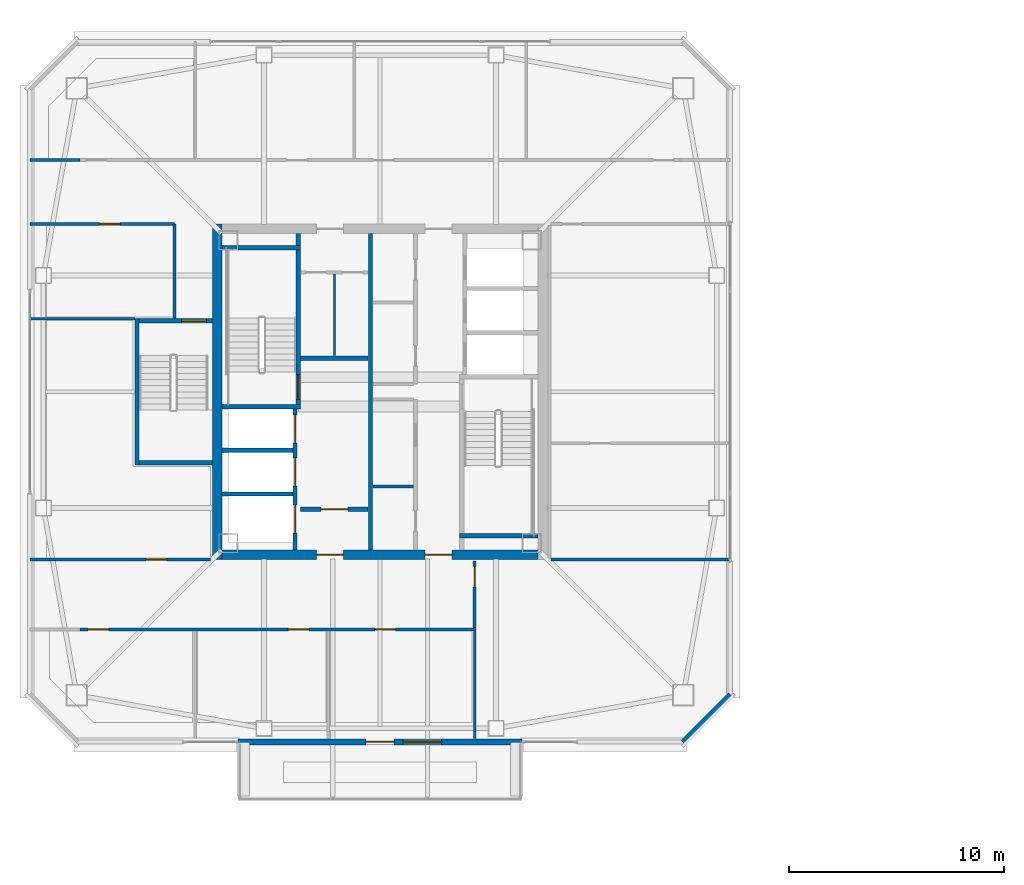
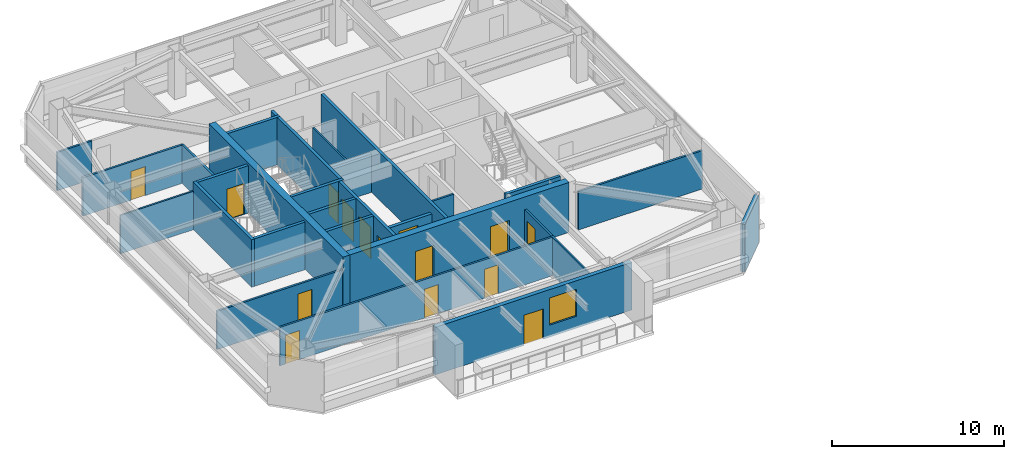
# One storey, part 29 of 39: 28 walls, 15 doors, 1 window, 16 openings.
"""IFC4 building model written with IfcOpenShell, lengths in metres."""

from ifc_helpers import new_model, si_unit, direction, frame, frame_2d, origin, place, context, subcontext, project, spatial, rectangle, extrude, material, layer, layer_set, type_object, element, fill, save


model = new_model("IFC4")

# Units and contexts
model_context = context("Model", 3, precision=1e-05, world=origin(), true_north=direction((0.0, 1.0)))
body_context = subcontext(model_context, "Body", "Model", "MODEL_VIEW")
ifc_project = project(units=[si_unit("LENGTHUNIT", "METRE"), si_unit("AREAUNIT", "SQUARE_METRE"), si_unit("VOLUMEUNIT", "CUBIC_METRE"), si_unit("PLANEANGLEUNIT", "RADIAN"), si_unit("MASSUNIT", "GRAM", prefix="KILO")], contexts=[model_context])

# Site, building, storey
site_placement = place(None, origin())
site = spatial("IfcSite", under=ifc_project, at=site_placement, CompositionType="ELEMENT")
building_placement = place(site_placement, origin())
building = spatial("IfcBuilding", under=site, at=building_placement, Name="Tashvorn Skyway Center", CompositionType="ELEMENT")
storey_placement = place(building_placement, frame((0.0, 0.0, 225.5)))
storey = spatial("IfcBuildingStorey", under=building, at=storey_placement, Name="L61", CompositionType="ELEMENT", Elevation=225.5)

# Wall
ifc_material_1 = material(Name="Concrete C50/60", Category="concrete")
ifc_layer_1 = layer(ifc_material_1, 0.449951171875)
ifc_layer_set_1 = layer_set([ifc_layer_1], Name="Concrete C50/60")
wall_type_1 = type_object("IfcWallType", Name="WALL-CORE-450", PredefinedType="SHEAR", material=ifc_layer_set_1)
wall_1_placement = place(storey_placement, frame((34.425048828125, 24.199951171875, 0.0), z_axis=(0.0, 0.0, 1.0), x_axis=(0.0, 1.0, 0.0)))
element("IfcWall", 1, at=wall_1_placement, inside=storey, type_object=wall_type_1, Name="Tower 1 L61 West Core Shear Wall", PredefinedType="SHEAR", context=body_context, shape_type="SweptSolid", body=[
    extrude(rectangle(XDim=15.60009765625, YDim=0.449951171875, at=frame_2d((7.800048828125, 0.0))), origin(), (0.0, 0.0, 1.0), 3.550048828125),
])

# Wall, openings, doors
wall_2_placement = place(storey_placement, frame((49.35009765625, 24.425048828125, 0.0), z_axis=(0.0, 0.0, 1.0), x_axis=(-1.0, 0.0, 0.0)))
wall_2 = element("IfcWall", 2, at=wall_2_placement, inside=storey, type_object=wall_type_1, Name="Tower 1 L61 South Core Shear Wall", PredefinedType="SHEAR", context=body_context, shape_type="SweptSolid", body=[
    extrude(rectangle(XDim=14.7001953125, YDim=0.449951171875, at=frame_2d((7.35009765625, 0.0))), origin(), (0.0, 0.0, 1.0), 3.550048828125),
])
opening_1_placement = place(wall_2_placement, frame((9.050048828125, 0.0, 0.0)))
opening_1 = element("IfcOpeningElement", 3, at=opening_1_placement, cuts=wall_2, Name="Opening D-FFL-1250", PredefinedType="OPENING", context=body_context, shape_type="SweptSolid", body=[
    extrude(rectangle(XDim=1.25, YDim=2.25, at=frame_2d((0.625, 1.125))), frame((0.0, 0.23486328125, 0.0), z_axis=(0.0, -1.0, 0.0), x_axis=(1.0, 0.0, 0.0)), (0.0, 0.0, 1.0), 0.469970703125),
])
opening_2_placement = place(wall_2_placement, frame((4.0, 0.0, 0.0)))
opening_2 = element("IfcOpeningElement", 4, at=opening_2_placement, cuts=wall_2, Name="Opening D-FFL-1250", PredefinedType="OPENING", context=body_context, shape_type="SweptSolid", body=[
    extrude(rectangle(XDim=1.25, YDim=2.25, at=frame_2d((0.625, 1.125))), frame((0.0, 0.23486328125, 0.0), z_axis=(0.0, -1.0, 0.0), x_axis=(1.0, 0.0, 0.0)), (0.0, 0.0, 1.0), 0.469970703125),
])
ifc_material_2 = material(Name="Hollow galvanized steel fire door assembly", Category="steel")
door_type_1 = type_object("IfcDoorType", Name="DOOR-FFL-1250", OperationType="NOTDEFINED", PredefinedType="DOOR", material=ifc_material_2)
door_1_placement = place(opening_1_placement, origin())
door_1 = element("IfcDoor", 5, at=door_1_placement, inside=storey, type_object=door_type_1, Name="Tower 1 L61 Core South Firefighting Exit Door", OperationType="SINGLE_SWING_LEFT", OverallHeight=2.25, OverallWidth=1.25, PredefinedType="DOOR", context=body_context, shape_type="SweptSolid", body=[
    extrude(rectangle(XDim=1.25, YDim=2.25, at=frame_2d((0.625, 1.125))), frame((0.0, 0.02490234375, 0.0), z_axis=(0.0, -1.0, 0.0), x_axis=(1.0, 0.0, 0.0)), (0.0, 0.0, 1.0), 0.050048828125),
])
fill(opening_1, door_1)
door_2_placement = place(opening_2_placement, origin())
door_2 = element("IfcDoor", 6, at=door_2_placement, inside=storey, type_object=door_type_1, Name="Tower 1 L61 Core South Lift Lobby Door", OperationType="SINGLE_SWING_RIGHT", OverallHeight=2.25, OverallWidth=1.25, PredefinedType="DOOR", context=body_context, shape_type="SweptSolid", body=[
    extrude(rectangle(XDim=1.25, YDim=2.25, at=frame_2d((0.625, 1.125))), frame((0.0, 0.02490234375, 0.0), z_axis=(0.0, -1.0, 0.0), x_axis=(1.0, 0.0, 0.0)), (0.0, 0.0, 1.0), 0.050048828125),
])
fill(opening_2, door_2)

# Wall, openings, door, window
ifc_material_3 = material(Name="Precast concrete C40/50", Category="concrete")
ifc_layer_2 = layer(ifc_material_3, 0.280029296875)
ifc_layer_set_2 = layer_set([ifc_layer_2], Name="Precast concrete C40/50")
wall_type_2 = type_object("IfcWallType", Name="WALL-EXT-280", PredefinedType="SOLIDWALL", material=ifc_layer_set_2)
wall_3_placement = place(storey_placement, frame((48.60009765625, 15.719970703125, 0.0), z_axis=(0.0, 0.0, 1.0), x_axis=(-1.0, 0.0, 0.0)))
wall_3 = element("IfcWall", 7, at=wall_3_placement, inside=storey, type_object=wall_type_2, Name="Tower 1 L61 South Sky Garden Loggia Wall", PredefinedType="SOLIDWALL", context=body_context, shape_type="SweptSolid", body=[
    extrude(rectangle(XDim=13.2001953125, YDim=0.280029296875, at=frame_2d((6.60009765625, 0.0))), origin(), (0.0, 0.0, 1.0), 3.3701171875),
])
opening_3_placement = place(wall_3_placement, frame((5.949951171875, 0.0, 0.0)))
opening_3 = element("IfcOpeningElement", 8, at=opening_3_placement, cuts=wall_3, Name="Opening D-TER-1300", PredefinedType="OPENING", context=body_context, shape_type="SweptSolid", body=[
    extrude(rectangle(XDim=1.300048828125, YDim=2.14990234375, at=frame_2d((0.64990234375, 1.074951171875))), frame((0.0, 0.14990234375, 0.0), z_axis=(0.0, -1.0, 0.0), x_axis=(1.0, 0.0, 0.0)), (0.0, 0.0, 1.0), 0.300048828125),
])
opening_4_placement = place(wall_3_placement, frame((3.73193359375, 0.0, 0.85009765625)))
opening_4 = element("IfcOpeningElement", 9, at=opening_4_placement, cuts=wall_3, Name="Opening WIN-1800", PredefinedType="OPENING", context=body_context, shape_type="SweptSolid", body=[
    extrude(rectangle(XDim=1.800048828125, YDim=1.919921875, at=frame_2d((0.89990234375, 0.9599609375))), frame((0.0, 0.14990234375, 0.0), z_axis=(0.0, -1.0, 0.0), x_axis=(1.0, 0.0, 0.0)), (0.0, 0.0, 1.0), 0.300048828125),
])
ifc_material_4 = material(Name="Thermally broken bronze-anodized aluminium 6063-T6", Category="aluminium")
door_type_2 = type_object("IfcDoorType", Name="DOOR-TERR-1300", OperationType="NOTDEFINED", PredefinedType="DOOR", material=ifc_material_4)
door_3_placement = place(opening_3_placement, origin())
door_3 = element("IfcDoor", 10, at=door_3_placement, inside=storey, type_object=door_type_2, Name="Tower 1 L61 Sky Garden Access Door", OperationType="SINGLE_SWING_LEFT", OverallHeight=2.14990234375, OverallWidth=1.300048828125, PredefinedType="DOOR", context=body_context, shape_type="SweptSolid", body=[
    extrude(rectangle(XDim=1.300048828125, YDim=2.14990234375, at=frame_2d((0.64990234375, 1.074951171875))), frame((0.0, 0.02490234375, 0.0), z_axis=(0.0, -1.0, 0.0), x_axis=(1.0, 0.0, 0.0)), (0.0, 0.0, 1.0), 0.050048828125),
])
fill(opening_3, door_3)
ifc_material_5 = material(Name="Low-E solar-control double insulating safety glass", Category="glass")
window_type = type_object("IfcWindowType", Name="WIN-TERR-1800", PartitioningType="SINGLE_PANEL", PredefinedType="WINDOW", material=ifc_material_5)
window_placement = place(opening_4_placement, origin())
window = element("IfcWindow", 11, at=window_placement, inside=storey, type_object=window_type, Name="Tower 1 L61 Sky Garden Window", OverallHeight=1.919921875, OverallWidth=1.800048828125, PartitioningType="SINGLE_PANEL", PredefinedType="WINDOW", context=body_context, shape_type="SweptSolid", body=[
    extrude(rectangle(XDim=1.800048828125, YDim=1.919921875, at=frame_2d((0.89990234375, 0.9599609375))), frame((0.0, 0.030029296875, 0.0), z_axis=(0.0, -1.0, 0.0), x_axis=(1.0, 0.0, 0.0)), (0.0, 0.0, 1.0), 0.06005859375),
])
fill(opening_4, window)

# Walls
wall_4_placement = place(storey_placement, frame((58.300048828125, 17.89990234375, 0.0), z_axis=(0.0, 0.0, 1.0), x_axis=(-0.707106781187, -0.707106781187, 0.0)))
element("IfcWall", 12, at=wall_4_placement, inside=storey, type_object=wall_type_2, Name="Tower 1 L61 SE Precast Chamfer Wall", PredefinedType="SOLIDWALL", context=body_context, shape_type="SweptSolid", body=[
    extrude(rectangle(XDim=3.111083984375, YDim=0.280029296875, at=frame_2d((1.5556640625, 0.0))), origin(), (0.0, 0.0, 1.0), 3.3701171875),
])
ifc_material_6 = material(Name="Concrete C40/50", Category="concrete")
ifc_layer_3 = layer(ifc_material_6, 0.219970703125)
ifc_layer_set_3 = layer_set([ifc_layer_3], Name="Concrete C40/50")
wall_type_3 = type_object("IfcWallType", Name="WALL-FFL-220", PredefinedType="SOLIDWALL", material=ifc_layer_set_3)
wall_5_placement = place(storey_placement, frame((38.300048828125, 33.56005859375, 0.0), z_axis=(0.0, 0.0, 1.0), x_axis=(1.0, 0.0, 0.0)))
element("IfcWall", 13, at=wall_5_placement, inside=storey, type_object=wall_type_3, Name="Tower 1 L61 Firefighting Lobby North Wall", PredefinedType="SOLIDWALL", context=body_context, shape_type="SweptSolid", body=[
    extrude(rectangle(XDim=3.14990234375, YDim=0.219970703125, at=frame_2d((1.574951171875, 0.0))), origin(), (0.0, 0.0, 1.0), 2.722900390625),
])

# Wall, opening, door
wall_6_placement = place(storey_placement, frame((38.300048828125, 26.5400390625, 0.0), z_axis=(0.0, 0.0, 1.0), x_axis=(1.0, 0.0, 0.0)))
wall_6 = element("IfcWall", 14, at=wall_6_placement, inside=storey, type_object=wall_type_3, Name="Tower 1 L61 Firefighting Lobby South Wall", PredefinedType="SOLIDWALL", context=body_context, shape_type="SweptSolid", body=[
    extrude(rectangle(XDim=3.14990234375, YDim=0.219970703125, at=frame_2d((1.574951171875, 0.0))), origin(), (0.0, 0.0, 1.0), 2.722900390625),
])
opening_5_placement = place(wall_6_placement, frame((0.949951171875, 0.0, 0.0)))
opening_5 = element("IfcOpeningElement", 15, at=opening_5_placement, cuts=wall_6, Name="Opening D-FFL-1250", PredefinedType="OPENING", context=body_context, shape_type="SweptSolid", body=[
    extrude(rectangle(XDim=1.25, YDim=2.25, at=frame_2d((0.625, 1.125))), frame((0.0, 0.119873046875, 0.0), z_axis=(0.0, -1.0, 0.0), x_axis=(1.0, 0.0, 0.0)), (0.0, 0.0, 1.0), 0.239990234375),
])
door_4_placement = place(opening_5_placement, origin())
door_4 = element("IfcDoor", 16, at=door_4_placement, inside=storey, type_object=door_type_1, Name="Tower 1 L61 Firefighting Lobby Egress Door", OperationType="SINGLE_SWING_LEFT", OverallHeight=2.25, OverallWidth=1.25, PredefinedType="DOOR", context=body_context, shape_type="SweptSolid", body=[
    extrude(rectangle(XDim=1.25, YDim=2.25, at=frame_2d((0.625, 1.125))), frame((0.0, 0.02490234375, 0.0), z_axis=(0.0, -1.0, 0.0), x_axis=(1.0, 0.0, 0.0)), (0.0, 0.0, 1.0), 0.050048828125),
])
fill(opening_5, door_4)

# Walls
ifc_material_7 = material(Name="Gypsum board on cold-formed steel stud framing", Category="steel")
ifc_layer_4 = layer(ifc_material_7, 0.110107421875)
ifc_layer_set_4 = layer_set([ifc_layer_4], Name="Gypsum board on cold-formed steel stud framing")
wall_type_4 = type_object("IfcWallType", Name="WALL-PART-110", PredefinedType="PARTITIONING", material=ifc_layer_set_4)
wall_7_placement = place(storey_placement, frame((46.39990234375, 15.8701171875, 0.0), z_axis=(0.0, 0.0, 1.0), x_axis=(0.0, 1.0, 0.0)))
element("IfcWall", 17, at=wall_7_placement, inside=storey, type_object=wall_type_4, Name="Tower 1 L61 South-East Suite Wall", PredefinedType="PARTITIONING", context=body_context, shape_type="SweptSolid", body=[
    extrude(rectangle(XDim=5.159912109375, YDim=0.110107421875, at=frame_2d((2.580078125, 0.0))), origin(), (0.0, 0.0, 1.0), 2.722900390625),
])
wall_8_placement = place(storey_placement, frame((30.60009765625, 35.39990234375, 0.0), z_axis=(0.0, 0.0, 1.0), x_axis=(-1.0, 0.0, 0.0)))
element("IfcWall", 18, at=wall_8_placement, inside=storey, type_object=wall_type_4, Name="Tower 1 L61 West Suite Partition 1", PredefinedType="PARTITIONING", context=body_context, shape_type="SweptSolid", body=[
    extrude(rectangle(XDim=4.880126953125, YDim=0.110107421875, at=frame_2d((2.43994140625, 0.0))), origin(), (0.0, 0.0, 1.0), 2.722900390625),
])
ifc_layer_5 = layer(ifc_material_7, 0.135009765625)
ifc_layer_set_5 = layer_set([ifc_layer_5], Name="Gypsum board on cold-formed steel stud framing")
wall_type_5 = type_object("IfcWallType", Name="WALL-PART-135", PredefinedType="PARTITIONING", material=ifc_layer_set_5)
wall_9_placement = place(storey_placement, frame((32.449951171875, 35.39990234375, 0.0), z_axis=(0.0, 0.0, 1.0), x_axis=(0.0, 1.0, 0.0)))
element("IfcWall", 19, at=wall_9_placement, inside=storey, type_object=wall_type_5, Name="Tower 1 L61 Stair 3 Access Corridor Wall", PredefinedType="PARTITIONING", context=body_context, shape_type="SweptSolid", body=[
    extrude(rectangle(XDim=4.400146484375, YDim=0.135009765625, at=frame_2d((2.2001953125, 0.0))), origin(), (0.0, 0.0, 1.0), 2.722900390625),
])
wall_10_placement = place(storey_placement, frame((25.719970703125, 42.77001953125, 0.0), z_axis=(0.0, 0.0, 1.0), x_axis=(1.0, 0.0, 0.0)))
element("IfcWall", 20, at=wall_10_placement, inside=storey, type_object=wall_type_5, Name="Tower 1 L61 North-West Suite South Wall", PredefinedType="PARTITIONING", context=body_context, shape_type="SweptSolid", body=[
    extrude(rectangle(XDim=2.330078125, YDim=0.135009765625, at=frame_2d((1.1650390625, 0.0))), origin(), (0.0, 0.0, 1.0), 2.722900390625),
])

# Wall, openings, doors
wall_11_placement = place(storey_placement, frame((46.39990234375, 20.949951171875, 0.0), z_axis=(0.0, 0.0, 1.0), x_axis=(-1.0, 0.0, 0.0)))
wall_11 = element("IfcWall", 21, at=wall_11_placement, inside=storey, type_object=wall_type_5, Name="Tower 1 L61 South Suite Wall", PredefinedType="PARTITIONING", context=body_context, shape_type="SweptSolid", body=[
    extrude(rectangle(XDim=18.349853515625, YDim=0.135009765625, at=frame_2d((9.1748046875, 0.0))), origin(), (0.0, 0.0, 1.0), 2.722900390625),
])
opening_6_placement = place(wall_11_placement, frame((17.02001953125, 0.0, 0.0)))
opening_6 = element("IfcOpeningElement", 22, at=opening_6_placement, cuts=wall_11, Name="Opening D-INT-950", PredefinedType="OPENING", context=body_context, shape_type="SweptSolid", body=[
    extrude(rectangle(XDim=0.949951171875, YDim=2.050048828125, at=frame_2d((0.47509765625, 1.02490234375))), frame((0.0, 0.077392578125, 0.0), z_axis=(0.0, -1.0, 0.0), x_axis=(1.0, 0.0, 0.0)), (0.0, 0.0, 1.0), 0.155029296875),
])
opening_7_placement = place(wall_11_placement, frame((7.708251953125, 0.0, 0.0)))
opening_7 = element("IfcOpeningElement", 23, at=opening_7_placement, cuts=wall_11, Name="Opening D-INT-950", PredefinedType="OPENING", context=body_context, shape_type="SweptSolid", body=[
    extrude(rectangle(XDim=0.949951171875, YDim=2.050048828125, at=frame_2d((0.47509765625, 1.02490234375))), frame((0.0, 0.077392578125, 0.0), z_axis=(0.0, -1.0, 0.0), x_axis=(1.0, 0.0, 0.0)), (0.0, 0.0, 1.0), 0.155029296875),
])
opening_8_placement = place(wall_11_placement, frame((3.6884765625, 0.0, 0.0)))
opening_8 = element("IfcOpeningElement", 24, at=opening_8_placement, cuts=wall_11, Name="Opening D-INT-950", PredefinedType="OPENING", context=body_context, shape_type="SweptSolid", body=[
    extrude(rectangle(XDim=0.949951171875, YDim=2.050048828125, at=frame_2d((0.47509765625, 1.02490234375))), frame((0.0, 0.077392578125, 0.0), z_axis=(0.0, -1.0, 0.0), x_axis=(1.0, 0.0, 0.0)), (0.0, 0.0, 1.0), 0.155029296875),
])
ifc_material_8 = material(Name="Solid-core architectural oak veneer door")
door_type_3 = type_object("IfcDoorType", Name="DOOR-INT-950", OperationType="NOTDEFINED", PredefinedType="DOOR", material=ifc_material_8)
door_5_placement = place(opening_6_placement, origin())
door_5 = element("IfcDoor", 25, at=door_5_placement, inside=storey, type_object=door_type_3, Name="Tower 1 L61 Conference Room Door", OperationType="SINGLE_SWING_RIGHT", OverallHeight=2.050048828125, OverallWidth=0.949951171875, PredefinedType="DOOR", context=body_context, shape_type="SweptSolid", body=[
    extrude(rectangle(XDim=0.949951171875, YDim=2.050048828125, at=frame_2d((0.47509765625, 1.02490234375))), frame((0.0, 0.02490234375, 0.0), z_axis=(0.0, -1.0, 0.0), x_axis=(1.0, 0.0, 0.0)), (0.0, 0.0, 1.0), 0.050048828125),
])
fill(opening_6, door_5)
door_6_placement = place(opening_7_placement, origin())
door_6 = element("IfcDoor", 26, at=door_6_placement, inside=storey, type_object=door_type_3, Name="Tower 1 L61 Staff Fitness Club Door", OperationType="SINGLE_SWING_LEFT", OverallHeight=2.050048828125, OverallWidth=0.949951171875, PredefinedType="DOOR", context=body_context, shape_type="SweptSolid", body=[
    extrude(rectangle(XDim=0.949951171875, YDim=2.050048828125, at=frame_2d((0.47509765625, 1.02490234375))), frame((0.0, 0.02490234375, 0.0), z_axis=(0.0, -1.0, 0.0), x_axis=(1.0, 0.0, 0.0)), (0.0, 0.0, 1.0), 0.050048828125),
])
fill(opening_7, door_6)
door_7_placement = place(opening_8_placement, origin())
door_7 = element("IfcDoor", 27, at=door_7_placement, inside=storey, type_object=door_type_3, Name="Tower 1 L61 Staff Fitness Club Door", OperationType="SINGLE_SWING_RIGHT", OverallHeight=2.050048828125, OverallWidth=0.949951171875, PredefinedType="DOOR", context=body_context, shape_type="SweptSolid", body=[
    extrude(rectangle(XDim=0.949951171875, YDim=2.050048828125, at=frame_2d((0.47509765625, 1.02490234375))), frame((0.0, 0.02490234375, 0.0), z_axis=(0.0, -1.0, 0.0), x_axis=(1.0, 0.0, 0.0)), (0.0, 0.0, 1.0), 0.050048828125),
])
fill(opening_8, door_7)

# Wall, opening, door
wall_12_placement = place(storey_placement, frame((46.39990234375, 24.1201171875, 0.0), z_axis=(0.0, 0.0, 1.0), x_axis=(0.0, -1.0, 0.0)))
wall_12 = element("IfcWall", 28, at=wall_12_placement, inside=storey, type_object=wall_type_5, Name="Tower 1 L61 South Gallery End Wall", PredefinedType="PARTITIONING", context=body_context, shape_type="SweptSolid", body=[
    extrude(rectangle(XDim=3.090087890625, YDim=0.135009765625, at=frame_2d((1.544921875, 0.0))), origin(), (0.0, 0.0, 1.0), 2.722900390625),
])
opening_9_placement = place(wall_12_placement, frame((0.25, 0.0, 0.0)))
opening_9 = element("IfcOpeningElement", 29, at=opening_9_placement, cuts=wall_12, Name="Opening D-INT-950", PredefinedType="OPENING", context=body_context, shape_type="SweptSolid", body=[
    extrude(rectangle(XDim=0.949951171875, YDim=2.050048828125, at=frame_2d((0.47509765625, 1.02490234375))), frame((0.0, 0.077392578125, 0.0), z_axis=(0.0, -1.0, 0.0), x_axis=(1.0, 0.0, 0.0)), (0.0, 0.0, 1.0), 0.155029296875),
])
door_8_placement = place(opening_9_placement, origin())
door_8 = element("IfcDoor", 30, at=door_8_placement, inside=storey, type_object=door_type_3, Name="Tower 1 L61 Gallery Showroom Door", OperationType="SINGLE_SWING_LEFT", OverallHeight=2.050048828125, OverallWidth=0.949951171875, PredefinedType="DOOR", context=body_context, shape_type="SweptSolid", body=[
    extrude(rectangle(XDim=0.949951171875, YDim=2.050048828125, at=frame_2d((0.47509765625, 1.02490234375))), frame((0.0, 0.02490234375, 0.0), z_axis=(0.0, -1.0, 0.0), x_axis=(1.0, 0.0, 0.0)), (0.0, 0.0, 1.0), 0.050048828125),
])
fill(opening_9, door_8)

# Wall
wall_13_placement = place(storey_placement, frame((49.9599609375, 24.199951171875, 0.0), z_axis=(0.0, 0.0, 1.0), x_axis=(1.0, 0.0, 0.0)))
element("IfcWall", 31, at=wall_13_placement, inside=storey, type_object=wall_type_5, Name="Tower 1 L61 East Suite South Wall", PredefinedType="PARTITIONING", context=body_context, shape_type="SweptSolid", body=[
    extrude(rectangle(XDim=8.320068359375, YDim=0.135009765625, at=frame_2d((4.16015625, 0.0))), origin(), (0.0, 0.0, 1.0), 2.722900390625),
])

# Wall, opening, door
wall_14_placement = place(storey_placement, frame((32.449951171875, 39.800048828125, 0.0), z_axis=(0.0, 0.0, 1.0), x_axis=(-1.0, 0.0, 0.0)))
wall_14 = element("IfcWall", 32, at=wall_14_placement, inside=storey, type_object=wall_type_5, Name="Tower 1 L61 West Suite North Wall", PredefinedType="PARTITIONING", context=body_context, shape_type="SweptSolid", body=[
    extrude(rectangle(XDim=6.72998046875, YDim=0.135009765625, at=frame_2d((3.364990234375, 0.0))), origin(), (0.0, 0.0, 1.0), 2.722900390625),
])
opening_10_placement = place(wall_14_placement, frame((2.5400390625, 0.0, 0.0)))
opening_10 = element("IfcOpeningElement", 33, at=opening_10_placement, cuts=wall_14, Name="Opening D-INT-950", PredefinedType="OPENING", context=body_context, shape_type="SweptSolid", body=[
    extrude(rectangle(XDim=0.949951171875, YDim=2.050048828125, at=frame_2d((0.47509765625, 1.02490234375))), frame((0.0, 0.077392578125, 0.0), z_axis=(0.0, -1.0, 0.0), x_axis=(1.0, 0.0, 0.0)), (0.0, 0.0, 1.0), 0.155029296875),
])
door_9_placement = place(opening_10_placement, origin())
door_9 = element("IfcDoor", 34, at=door_9_placement, inside=storey, type_object=door_type_3, Name="Tower 1 L61 Catering Pantry Door", OperationType="SINGLE_SWING_RIGHT", OverallHeight=2.050048828125, OverallWidth=0.949951171875, PredefinedType="DOOR", context=body_context, shape_type="SweptSolid", body=[
    extrude(rectangle(XDim=0.949951171875, YDim=2.050048828125, at=frame_2d((0.47509765625, 1.02490234375))), frame((0.0, 0.02490234375, 0.0), z_axis=(0.0, -1.0, 0.0), x_axis=(1.0, 0.0, 0.0)), (0.0, 0.0, 1.0), 0.050048828125),
])
fill(opening_10, door_9)

wall_15_placement = place(storey_placement, frame((25.719970703125, 24.199951171875, 0.0), z_axis=(0.0, 0.0, 1.0), x_axis=(1.0, 0.0, 0.0)))
wall_15 = element("IfcWall", 35, at=wall_15_placement, inside=storey, type_object=wall_type_5, Name="Tower 1 L61 West Suite South Wall", PredefinedType="PARTITIONING", context=body_context, shape_type="SweptSolid", body=[
    extrude(rectangle(XDim=8.400146484375, YDim=0.135009765625, at=frame_2d((4.2001953125, 0.0))), origin(), (0.0, 0.0, 1.0), 2.722900390625),
])
opening_11_placement = place(wall_15_placement, frame((5.405029296875, 0.0, 0.0)))
opening_11 = element("IfcOpeningElement", 36, at=opening_11_placement, cuts=wall_15, Name="Opening D-INT-950", PredefinedType="OPENING", context=body_context, shape_type="SweptSolid", body=[
    extrude(rectangle(XDim=0.949951171875, YDim=2.050048828125, at=frame_2d((0.47509765625, 1.02490234375))), frame((0.0, 0.077392578125, 0.0), z_axis=(0.0, -1.0, 0.0), x_axis=(1.0, 0.0, 0.0)), (0.0, 0.0, 1.0), 0.155029296875),
])
door_10_placement = place(opening_11_placement, origin())
door_10 = element("IfcDoor", 37, at=door_10_placement, inside=storey, type_object=door_type_3, Name="Tower 1 L61 Public Restroom Door", OperationType="SINGLE_SWING_LEFT", OverallHeight=2.050048828125, OverallWidth=0.949951171875, PredefinedType="DOOR", context=body_context, shape_type="SweptSolid", body=[
    extrude(rectangle(XDim=0.949951171875, YDim=2.050048828125, at=frame_2d((0.47509765625, 1.02490234375))), frame((0.0, 0.02490234375, 0.0), z_axis=(0.0, -1.0, 0.0), x_axis=(1.0, 0.0, 0.0)), (0.0, 0.0, 1.0), 0.050048828125),
])
fill(opening_11, door_10)

# Walls
ifc_layer_6 = layer(ifc_material_7, 0.110107421875)
ifc_layer_set_6 = layer_set([ifc_layer_6], Name="Gypsum board on cold-formed steel stud framing")
wall_type_6 = type_object("IfcWallType", Name="WALL-RATED-110", PredefinedType="PARTITIONING", material=ifc_layer_set_6)
wall_16_placement = place(storey_placement, frame((39.8798828125, 33.679931640625, 0.0), z_axis=(0.0, 0.0, 1.0), x_axis=(0.0, 1.0, 0.0)))
element("IfcWall", 38, at=wall_16_placement, inside=storey, type_object=wall_type_6, Name="Tower 1 L61 Core Split Partition", PredefinedType="PARTITIONING", context=body_context, shape_type="SweptSolid", body=[
    extrude(rectangle(XDim=3.800048828125, YDim=0.110107421875, at=frame_2d((1.89990234375, 0.0))), origin(), (0.0, 0.0, 1.0), 2.722900390625),
])
ifc_layer_7 = layer(ifc_material_7, 0.135009765625)
ifc_layer_set_7 = layer_set([ifc_layer_7], Name="Gypsum board on cold-formed steel stud framing")
wall_type_7 = type_object("IfcWallType", Name="WALL-RATED-135", PredefinedType="PARTITIONING", material=ifc_layer_set_7)
wall_17_placement = place(storey_placement, frame((41.669921875, 27.60009765625, 0.0), z_axis=(0.0, 0.0, 1.0), x_axis=(1.0, 0.0, 0.0)))
element("IfcWall", 39, at=wall_17_placement, inside=storey, type_object=wall_type_7, Name="Tower 1 L61 Freed Core Partition", PredefinedType="PARTITIONING", context=body_context, shape_type="SweptSolid", body=[
    extrude(rectangle(XDim=1.880126953125, YDim=0.135009765625, at=frame_2d((0.93994140625, 0.0))), origin(), (0.0, 0.0, 1.0), 2.722900390625),
])
ifc_layer_8 = layer(ifc_material_6, 0.199951171875)
ifc_layer_set_8 = layer_set([ifc_layer_8], Name="Concrete C40/50")
wall_type_8 = type_object("IfcWallType", Name="WALL-SHAFT-200", PredefinedType="SOLIDWALL", material=ifc_layer_set_8)
for number, where, z_axis, x_axis, name in (
    (40, (34.64990234375, 27.25, 0.0), (0.0, 0.0, 1.0), (1.0, 0.0, 0.0), "Tower 1 L61 FSAE Shaft Divider"),
    (41, (34.64990234375, 29.280029296875, 0.0), (0.0, 0.0, 1.0), (1.0, 0.0, 0.0), "Tower 1 L61 FSAE Shaft Divider"),
):
    element("IfcWall", number, at=place(storey_placement, frame(where, z_axis=z_axis, x_axis=x_axis)), inside=storey, type_object=wall_type_8, Name=name, PredefinedType="SOLIDWALL", context=body_context, shape_type="SweptSolid", body=[
        extrude(rectangle(XDim=3.300048828125, YDim=0.199951171875, at=frame_2d((1.64990234375, 0.0))), origin(), (0.0, 0.0, 1.0), 3.3701171875),
    ])

# Wall, opening, door
ifc_layer_9 = layer(ifc_material_6, 0.199951171875)
ifc_layer_set_9 = layer_set([ifc_layer_9], Name="Concrete C40/50")
wall_type_9 = type_object("IfcWallType", Name="WALL-STSHF-200", PredefinedType="SHEAR", material=ifc_layer_set_9)
wall_18_placement = place(storey_placement, frame((38.199951171875, 31.199951171875, 0.0), z_axis=(0.0, 0.0, 1.0), x_axis=(0.0, 1.0, 0.0)))
wall_18 = element("IfcWall", 42, at=wall_18_placement, inside=storey, type_object=wall_type_9, Name="Tower 1 L61 Stair 1 Enclosure Wall", PredefinedType="SHEAR", context=body_context, shape_type="SweptSolid", body=[
    extrude(rectangle(XDim=8.150146484375, YDim=0.199951171875, at=frame_2d((4.0751953125, 0.0))), origin(), (0.0, 0.0, 1.0), 3.3701171875),
])
opening_12_placement = place(wall_18_placement, frame((0.449951171875, 0.0, 0.0)))
opening_12 = element("IfcOpeningElement", 43, at=opening_12_placement, cuts=wall_18, Name="Opening D-ST-1150", PredefinedType="OPENING", context=body_context, shape_type="SweptSolid", body=[
    extrude(rectangle(XDim=1.14990234375, YDim=2.199951171875, at=frame_2d((0.574951171875, 1.10009765625))), frame((0.0, 0.10986328125, 0.0), z_axis=(0.0, -1.0, 0.0), x_axis=(1.0, 0.0, 0.0)), (0.0, 0.0, 1.0), 0.219970703125),
])
door_type_4 = type_object("IfcDoorType", Name="DOOR-STAIR-1150", OperationType="NOTDEFINED", PredefinedType="DOOR", material=ifc_material_2)
door_11_placement = place(opening_12_placement, origin())
door_11 = element("IfcDoor", 44, at=door_11_placement, inside=storey, type_object=door_type_4, Name="Tower 1 L61 Exit Stair 1 Door", OperationType="SINGLE_SWING_RIGHT", OverallHeight=2.199951171875, OverallWidth=1.14990234375, PredefinedType="DOOR", context=body_context, shape_type="SweptSolid", body=[
    extrude(rectangle(XDim=1.14990234375, YDim=2.199951171875, at=frame_2d((0.574951171875, 1.10009765625))), frame((0.0, 0.02490234375, 0.0), z_axis=(0.0, -1.0, 0.0), x_axis=(1.0, 0.0, 0.0)), (0.0, 0.0, 1.0), 0.050048828125),
])
fill(opening_12, door_11)

# Walls
for number, where, z_axis, x_axis, name in (
    (45, (34.64990234375, 31.300048828125, 0.0), (0.0, 0.0, 1.0), (1.0, 0.0, 0.0), "Tower 1 L61 Stair 1 South Wall"),
    (46, (34.64990234375, 38.699951171875, 0.0), (0.0, 0.0, 1.0), (1.0, 0.0, 0.0), "Tower 1 L61 Stair 1 North Wall"),
    (47, (45.699951171875, 25.300048828125, 0.0), (0.0, 0.0, 1.0), (1.0, 0.0, 0.0), "Tower 1 L61 Stair 2 South Wall"),
):
    element("IfcWall", number, at=place(storey_placement, frame(where, z_axis=z_axis, x_axis=x_axis)), inside=storey, type_object=wall_type_9, Name=name, PredefinedType="SHEAR", context=body_context, shape_type="SweptSolid", body=[
        extrude(rectangle(XDim=3.650146484375, YDim=0.199951171875, at=frame_2d((1.8251953125, 0.0))), origin(), (0.0, 0.0, 1.0), 3.3701171875),
    ])
wall_19_placement = place(storey_placement, frame((41.56005859375, 24.64990234375, 0.0), z_axis=(0.0, 0.0, 1.0), x_axis=(0.0, 1.0, 0.0)))
element("IfcWall", 48, at=wall_19_placement, inside=storey, type_object=wall_type_9, Name="Tower 1 L61 Firefighting Lobby East Smoke Barrier", PredefinedType="SHEAR", context=body_context, shape_type="SweptSolid", body=[
    extrude(rectangle(XDim=14.7001953125, YDim=0.199951171875, at=frame_2d((7.35009765625, 0.0))), origin(), (0.0, 0.0, 1.0), 3.3701171875),
])

# Wall, openings, doors
wall_20_placement = place(storey_placement, frame((38.050048828125, 24.64990234375, 0.0), z_axis=(0.0, 0.0, 1.0), x_axis=(0.0, 1.0, 0.0)))
wall_20 = element("IfcWall", 49, at=wall_20_placement, inside=storey, type_object=wall_type_9, Name="Tower 1 L61 FSAE and Goods Shaft Front Wall", PredefinedType="SHEAR", context=body_context, shape_type="SweptSolid", body=[
    extrude(rectangle(XDim=6.550048828125, YDim=0.199951171875, at=frame_2d((3.27490234375, 0.0))), origin(), (0.0, 0.0, 1.0), 3.3701171875),
])
opening_13_placement = place(wall_20_placement, frame((4.97509765625, 0.0, 0.0)))
opening_13 = element("IfcOpeningElement", 50, at=opening_13_placement, cuts=wall_20, Name="Opening LD-FF-T1-1-L61", PredefinedType="OPENING", context=body_context, shape_type="SweptSolid", body=[
    extrude(rectangle(XDim=1.300048828125, YDim=2.25, at=frame_2d((0.64990234375, 1.125))), frame((0.0, 0.10986328125, 0.0), z_axis=(0.0, -1.0, 0.0), x_axis=(1.0, 0.0, 0.0)), (0.0, 0.0, 1.0), 0.219970703125),
])
opening_14_placement = place(wall_20_placement, frame((2.97509765625, 0.0, 0.0)))
opening_14 = element("IfcOpeningElement", 51, at=opening_14_placement, cuts=wall_20, Name="Opening LD-FF-T1-2-L61", PredefinedType="OPENING", context=body_context, shape_type="SweptSolid", body=[
    extrude(rectangle(XDim=1.300048828125, YDim=2.25, at=frame_2d((0.64990234375, 1.125))), frame((0.0, 0.10986328125, 0.0), z_axis=(0.0, -1.0, 0.0), x_axis=(1.0, 0.0, 0.0)), (0.0, 0.0, 1.0), 0.219970703125),
])
opening_15_placement = place(wall_20_placement, frame((0.77490234375, 0.0, 0.0)))
opening_15 = element("IfcOpeningElement", 52, at=opening_15_placement, cuts=wall_20, Name="Opening LD-GD-T1-1-L61", PredefinedType="OPENING", context=body_context, shape_type="SweptSolid", body=[
    extrude(rectangle(XDim=1.300048828125, YDim=2.25, at=frame_2d((0.64990234375, 1.125))), frame((0.0, 0.10986328125, 0.0), z_axis=(0.0, -1.0, 0.0), x_axis=(1.0, 0.0, 0.0)), (0.0, 0.0, 1.0), 0.219970703125),
])
ifc_material_9 = material(Name="Stainless steel heavy-duty landing door", Category="steel")
door_type_5 = type_object("IfcDoorType", Name="DOOR-LIFT-1300", OperationType="SLIDING_TO_LEFT", PredefinedType="DOOR", material=ifc_material_9)
door_12_placement = place(opening_13_placement, origin())
door_12 = element("IfcDoor", 53, at=door_12_placement, inside=storey, type_object=door_type_5, Name="Lift FF-T1-1 L61 Landing Door", OperationType="SLIDING_TO_LEFT", OverallHeight=2.25, OverallWidth=1.300048828125, PredefinedType="DOOR", context=body_context, shape_type="SweptSolid", body=[
    extrude(rectangle(XDim=1.300048828125, YDim=2.25, at=frame_2d((0.64990234375, 1.125))), frame((0.0, 0.02490234375, 0.0), z_axis=(0.0, -1.0, 0.0), x_axis=(1.0, 0.0, 0.0)), (0.0, 0.0, 1.0), 0.050048828125),
])
fill(opening_13, door_12)
door_13_placement = place(opening_14_placement, origin())
door_13 = element("IfcDoor", 54, at=door_13_placement, inside=storey, type_object=door_type_5, Name="Lift FF-T1-2 L61 Landing Door", OperationType="SLIDING_TO_LEFT", OverallHeight=2.25, OverallWidth=1.300048828125, PredefinedType="DOOR", context=body_context, shape_type="SweptSolid", body=[
    extrude(rectangle(XDim=1.300048828125, YDim=2.25, at=frame_2d((0.64990234375, 1.125))), frame((0.0, 0.02490234375, 0.0), z_axis=(0.0, -1.0, 0.0), x_axis=(1.0, 0.0, 0.0)), (0.0, 0.0, 1.0), 0.050048828125),
])
fill(opening_14, door_13)
door_14_placement = place(opening_15_placement, origin())
door_14 = element("IfcDoor", 55, at=door_14_placement, inside=storey, type_object=door_type_5, Name="Lift GD-T1-1 L61 Landing Door", OperationType="SLIDING_TO_LEFT", OverallHeight=2.25, OverallWidth=1.300048828125, PredefinedType="DOOR", context=body_context, shape_type="SweptSolid", body=[
    extrude(rectangle(XDim=1.300048828125, YDim=2.25, at=frame_2d((0.64990234375, 1.125))), frame((0.0, 0.02490234375, 0.0), z_axis=(0.0, -1.0, 0.0), x_axis=(1.0, 0.0, 0.0)), (0.0, 0.0, 1.0), 0.050048828125),
])
fill(opening_15, door_14)

# Wall
wall_21_placement = place(storey_placement, frame((30.699951171875, 28.60009765625, 0.0), z_axis=(0.0, 0.0, 1.0), x_axis=(0.0, 1.0, 0.0)))
element("IfcWall", 56, at=wall_21_placement, inside=storey, type_object=wall_type_9, Name="Tower 1 L61 Stair 3 Outer Wall", PredefinedType="SHEAR", context=body_context, shape_type="SweptSolid", body=[
    extrude(rectangle(XDim=6.7998046875, YDim=0.199951171875, at=frame_2d((3.39990234375, 0.0))), origin(), (0.0, 0.0, 1.0), 3.3701171875),
])

# Wall, opening, door
wall_22_placement = place(storey_placement, frame((34.199951171875, 35.300048828125, 0.0), z_axis=(0.0, 0.0, 1.0), x_axis=(-1.0, 0.0, 0.0)))
wall_22 = element("IfcWall", 57, at=wall_22_placement, inside=storey, type_object=wall_type_9, Name="Tower 1 L61 Stair 3 Enclosure Wall", PredefinedType="SHEAR", context=body_context, shape_type="SweptSolid", body=[
    extrude(rectangle(XDim=3.39990234375, YDim=0.199951171875, at=frame_2d((1.699951171875, 0.0))), origin(), (0.0, 0.0, 1.0), 3.3701171875),
])
opening_16_placement = place(wall_22_placement, frame((0.27490234375, 0.0, 0.0)))
opening_16 = element("IfcOpeningElement", 58, at=opening_16_placement, cuts=wall_22, Name="Opening D-ST-1150", PredefinedType="OPENING", context=body_context, shape_type="SweptSolid", body=[
    extrude(rectangle(XDim=1.14990234375, YDim=2.199951171875, at=frame_2d((0.574951171875, 1.10009765625))), frame((0.0, 0.10986328125, 0.0), z_axis=(0.0, -1.0, 0.0), x_axis=(1.0, 0.0, 0.0)), (0.0, 0.0, 1.0), 0.219970703125),
])
door_15_placement = place(opening_16_placement, origin())
door_15 = element("IfcDoor", 59, at=door_15_placement, inside=storey, type_object=door_type_4, Name="Tower 1 L61 Exit Stair 3 Door", OperationType="SINGLE_SWING_RIGHT", OverallHeight=2.199951171875, OverallWidth=1.14990234375, PredefinedType="DOOR", context=body_context, shape_type="SweptSolid", body=[
    extrude(rectangle(XDim=1.14990234375, YDim=2.199951171875, at=frame_2d((0.574951171875, 1.10009765625))), frame((0.0, 0.02490234375, 0.0), z_axis=(0.0, -1.0, 0.0), x_axis=(1.0, 0.0, 0.0)), (0.0, 0.0, 1.0), 0.050048828125),
])
fill(opening_16, door_15)

# Wall
wall_23_placement = place(storey_placement, frame((30.800048828125, 28.699951171875, 0.0), z_axis=(0.0, 0.0, 1.0), x_axis=(1.0, 0.0, 0.0)))
element("IfcWall", 60, at=wall_23_placement, inside=storey, type_object=wall_type_9, Name="Tower 1 L61 Stair 3 South Wall", PredefinedType="SHEAR", context=body_context, shape_type="SweptSolid", body=[
    extrude(rectangle(XDim=3.39990234375, YDim=0.199951171875, at=frame_2d((1.699951171875, 0.0))), origin(), (0.0, 0.0, 1.0), 3.3701171875),
])

save(model, "model.ifc")
